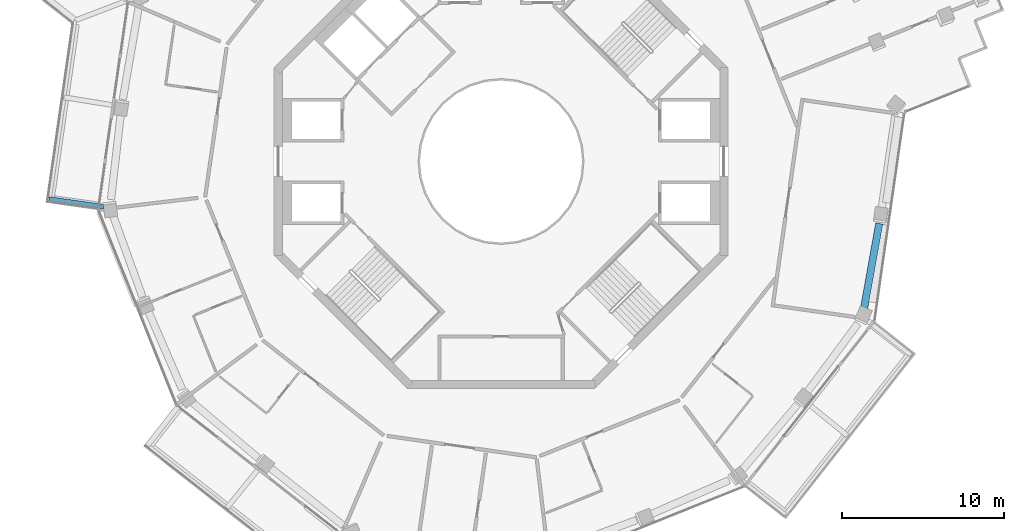
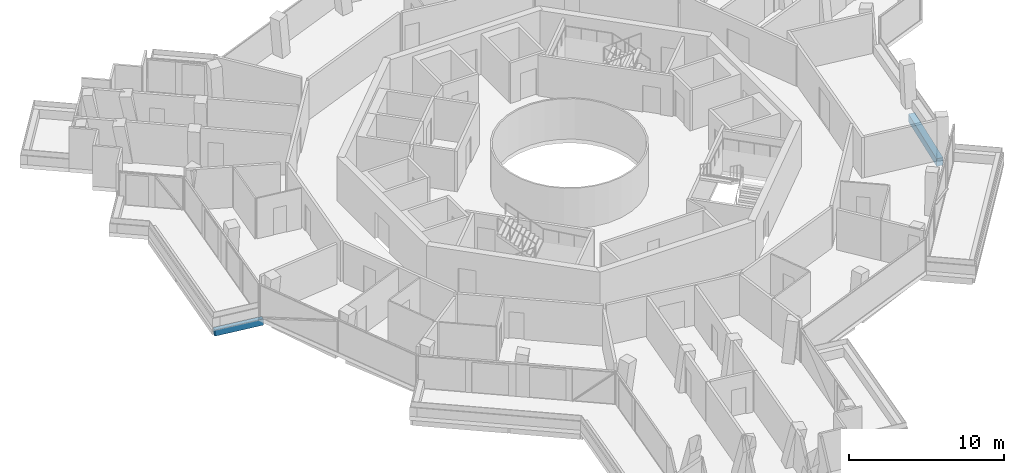
# One storey, part 5 of 23: 2 beams.
"""IFC4 building model written with IfcOpenShell, lengths in metres."""

from ifc_helpers import new_model, si_unit, direction, frame, origin, origin_2d, place, context, subcontext, project, spatial, rectangle, extrude, material, material_profile, profile_set, type_object, element, save


model = new_model("IFC4")

# Units and contexts
model_context = context("Model", 3, precision=1e-05, world=origin(), true_north=direction((0.0, 1.0)))
body_context = subcontext(model_context, "Body", "Model", "MODEL_VIEW")
ifc_project = project(units=[si_unit("LENGTHUNIT", "METRE"), si_unit("AREAUNIT", "SQUARE_METRE"), si_unit("VOLUMEUNIT", "CUBIC_METRE"), si_unit("PLANEANGLEUNIT", "RADIAN"), si_unit("MASSUNIT", "GRAM", prefix="KILO")], contexts=[model_context])

# Site, building, storey
site_placement = place(None, origin())
site = spatial("IfcSite", under=ifc_project, at=site_placement, CompositionType="ELEMENT")
building_placement = place(site_placement, origin())
building = spatial("IfcBuilding", under=site, at=building_placement, Name="Verdalira Terraces Hotel", CompositionType="ELEMENT")
storey_placement = place(building_placement, frame((0.0, 0.0, 244.5)))
storey = spatial("IfcBuildingStorey", under=building, at=storey_placement, Name="L60", CompositionType="ELEMENT", Elevation=244.5)

# Beams
ifc_material_1 = material(Name="Concrete C40", Category="concrete")
ifc_material_profile_1 = material_profile(ifc_material_1, rectangle(XDim=0.300049, YDim=0.5, at=origin_2d()), Name="RC 300X500")
ifc_profile_set_1 = profile_set([ifc_material_profile_1], Name="Concrete C40")
beam_type_1 = type_object("IfcBeamType", Name="Balcony cantilever beam RC 300X500 C40", PredefinedType="BEAM", material=ifc_profile_set_1)
beam_1_placement = place(storey_placement, frame((-24.525146, -2.798096, -0.560059), z_axis=(-0.989878556, 0.141917037, 0.0), x_axis=(-0.141917037, -0.989878556, 0.0)))
element("IfcBeam", 1, at=beam_1_placement, inside=storey, type_object=beam_type_1, Name="Balcony cantilever beam R10-3", PredefinedType="BEAM", context=body_context, shape_type="SweptSolid", body=[
    extrude(rectangle(XDim=0.300049, YDim=0.5, at=origin_2d()), origin(), (0.0, 0.0, 1.0), 3.378662),
])
ifc_material_2 = material(Name="Concrete C40", Category="concrete")
ifc_material_profile_2 = material_profile(ifc_material_2, rectangle(XDim=0.449951, YDim=0.600098, at=origin_2d()), Name="RC 450X600")
ifc_profile_set_2 = profile_set([ifc_material_profile_2], Name="Concrete C40")
beam_type_2 = type_object("IfcBeamType", Name="Spandrel beam RC 450X600 C40", PredefinedType="SPANDREL", material=ifc_profile_set_2)
beam_2_placement = place(storey_placement, frame((22.385498, -9.139404, -0.610107), z_axis=(0.17624938, 0.984345547, 0.0), x_axis=(-0.984345547, 0.17624938, 0.0)))
element("IfcBeam", 2, at=beam_2_placement, inside=storey, type_object=beam_type_2, Name="Spandrel beam B15", PredefinedType="SPANDREL", context=body_context, shape_type="SweptSolid", body=[
    extrude(rectangle(XDim=0.449951, YDim=0.600098, at=origin_2d()), origin(), (0.0, 0.0, 1.0), 5.396729),
])

save(model, "model.ifc")
